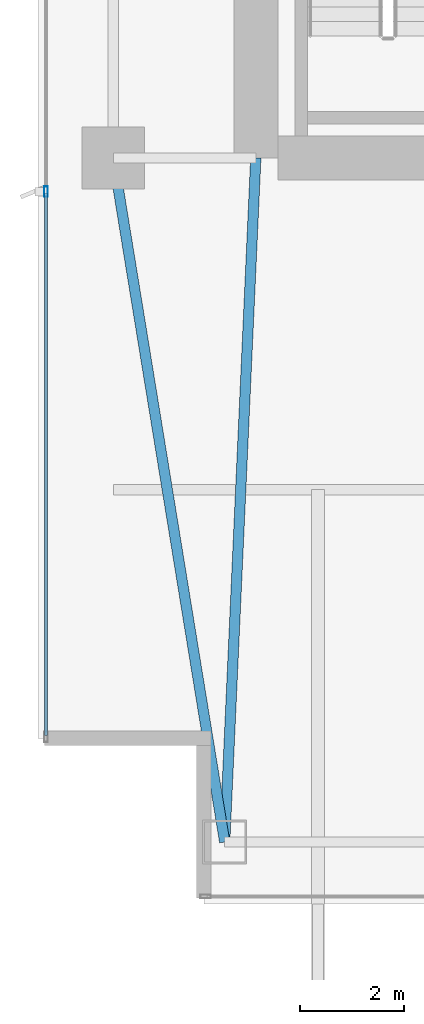
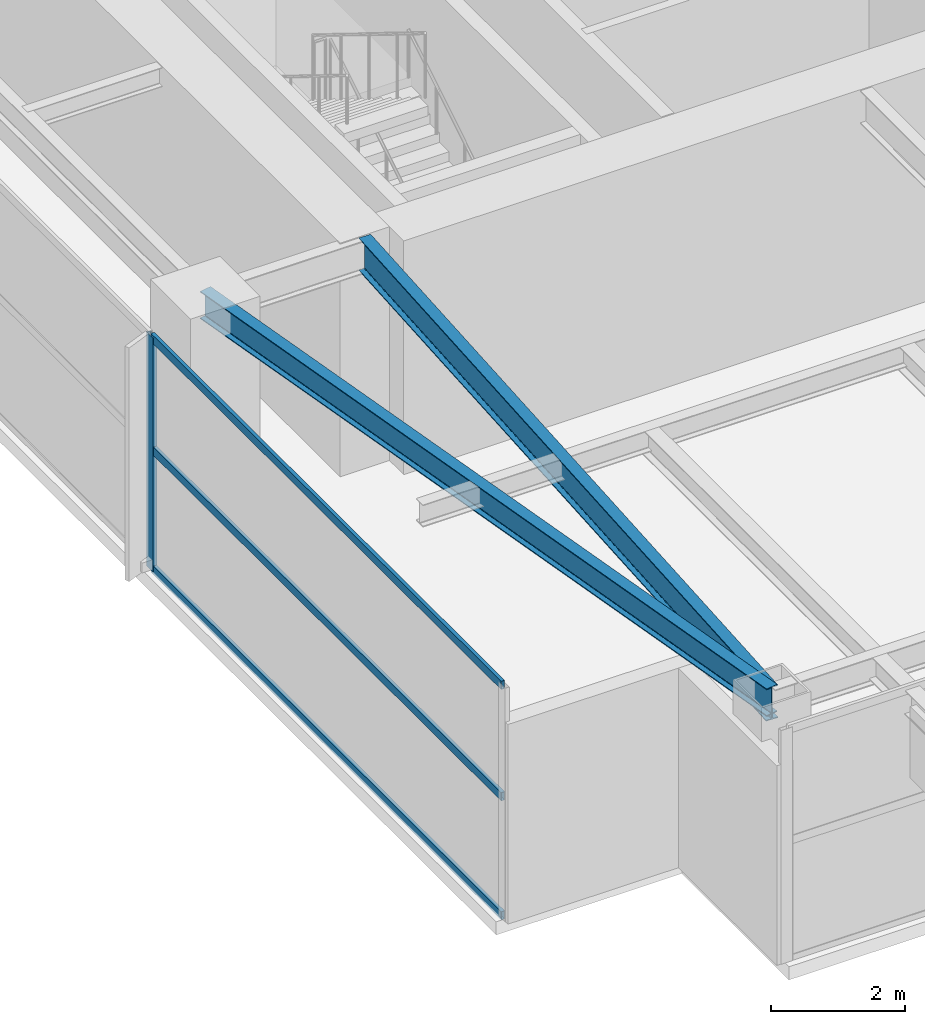
# One storey, part 3 of 26: 4 members, 2 beams, 1 element without a shape of its own.
"""IFC4 building model written with IfcOpenShell, lengths in metres."""

from ifc_helpers import new_model, si_unit, direction, frame, origin, origin_2d, place, context, subcontext, project, spatial, hollow_rectangle, i_section, extrude, material, layer, layer_set, material_profile, profile_set, type_object, element, aggregate, save


model = new_model("IFC4")

# Units and contexts
model_context = context("Model", 3, precision=1e-05, world=origin(), true_north=direction((0.0, 1.0)))
body_context = subcontext(model_context, "Body", "Model", "MODEL_VIEW")
ifc_project = project(units=[si_unit("LENGTHUNIT", "METRE"), si_unit("AREAUNIT", "SQUARE_METRE"), si_unit("VOLUMEUNIT", "CUBIC_METRE"), si_unit("PLANEANGLEUNIT", "RADIAN"), si_unit("MASSUNIT", "GRAM", prefix="KILO")], contexts=[model_context])

# Site, building, storey
site_placement = place(None, origin())
site = spatial("IfcSite", under=ifc_project, at=site_placement, CompositionType="ELEMENT")
building_placement = place(site_placement, origin())
building = spatial("IfcBuilding", under=site, at=building_placement, Name="Calvorn Quay Hotel", CompositionType="ELEMENT")
storey_placement = place(building_placement, frame((0.0, 0.0, 144.0)))
storey = spatial("IfcBuildingStorey", under=building, at=storey_placement, Name="L35", CompositionType="ELEMENT", Elevation=144.0)

# Beams
ifc_material_1 = material(Name="Steel Q355B", Category="steel")
ifc_material_profile_1 = material_profile(ifc_material_1, i_section(OverallWidth=0.199951171875, OverallDepth=0.60009765625, WebThickness=0.010986328125, FlangeThickness=0.01708984375, FilletRadius=0.01806640625, at=origin_2d()), Name="HN600x200x11x17")
ifc_profile_set_1 = profile_set([ifc_material_profile_1], Name="Steel Q355B")
beam_type_1 = type_object("IfcBeamType", Name="BM-GIRD-TYP", PredefinedType="BEAM", material=ifc_profile_set_1)
beam_1_placement = place(storey_placement, frame((3.60009765625, 3.60009765625, 3.93994140625), z_axis=(0.045396765494, 0.998969035397, 0.0), x_axis=(-0.998969035397, 0.045396765494, 0.0)))
element("IfcBeam", 1, at=beam_1_placement, inside=storey, type_object=beam_type_1, Name="Beam BG-L35-W0", PredefinedType="BEAM", context=body_context, shape_type="SweptSolid", body=[
    extrude(i_section(OverallWidth=0.199951171875, OverallDepth=0.60009765625, WebThickness=0.010986328125, FlangeThickness=0.01708984375, FilletRadius=0.01806640625, at=origin_2d()), origin(), (0.0, 0.0, 1.0), 13.213623046875),
])
ifc_material_2 = material(Name="Steel Q355B", Category="steel")
ifc_material_profile_2 = material_profile(ifc_material_2, i_section(OverallWidth=0.199951171875, OverallDepth=0.5, WebThickness=0.010009765625, FlangeThickness=0.01611328125, FilletRadius=0.01611328125, at=origin_2d()), Name="HN500x200x10x16")
ifc_profile_set_2 = profile_set([ifc_material_profile_2], Name="Steel Q355B")
beam_type_2 = type_object("IfcBeamType", Name="BM-SPANDREL-Z1", PredefinedType="SPANDREL", material=ifc_profile_set_2)
beam_2_placement = place(storey_placement, frame((3.60009765625, 3.60009765625, 3.989990234375), z_axis=(-0.16077155054, 0.986991645627, 0.0), x_axis=(-0.986991645627, -0.16077155054, 0.0)))
element("IfcBeam", 2, at=beam_2_placement, inside=storey, type_object=beam_type_2, Name="Beam BSP-L35-W1", PredefinedType="SPANDREL", context=body_context, shape_type="SweptSolid", body=[
    extrude(i_section(OverallWidth=0.199951171875, OverallDepth=0.5, WebThickness=0.010009765625, FlangeThickness=0.01611328125, FilletRadius=0.01611328125, at=origin_2d()), origin(), (0.0, 0.0, 1.0), 13.3740234375),
])

# Curtain wall, members
ifc_material_3 = material(Name="Pale Anodised Aluminium and Low-E Glass", Category="aluminium")
ifc_layer = layer(ifc_material_3, 0.219970703125)
ifc_layer_set = layer_set([ifc_layer], Name="CW-SYS-Z2")
curtain_wall_type = type_object("IfcCurtainWallType", Name="CW-SYS-Z2", PredefinedType="NOTDEFINED", material=ifc_layer_set)
curtain_wall_placement = place(storey_placement, origin())
curtain_wall = element("IfcCurtainWall", 3, at=curtain_wall_placement, inside=storey, type_object=curtain_wall_type, Name="Tower West Curtain Wall (L35)", PredefinedType="NOTDEFINED")
ifc_material_4 = material(Name="Pale Anodised Aluminium 6063-T6", Category="aluminium")
ifc_material_profile_3 = material_profile(ifc_material_4, hollow_rectangle(XDim=0.070068359375, YDim=0.199951171875, WallThickness=0.00390625, at=origin_2d()), Name="ALU-M200x70x4")
ifc_profile_set_3 = profile_set([ifc_material_profile_3], Name="Pale Anodised Aluminium 6063-T6")
member_type_1 = type_object("IfcMemberType", Name="CW-SYS-Z2-MUL", PredefinedType="MULLION", material=ifc_profile_set_3)
member_1_placement = place(storey_placement, frame((0.14990234375, 16.14990234375, 0.0), z_axis=(0.0, 0.0, 1.0), x_axis=(-1.0, 0.0, 0.0)))
member_1 = element("IfcMember", 4, at=member_1_placement, type_object=member_type_1, Name="CW-L35-W mullion 2", PredefinedType="MULLION", context=body_context, shape_type="SweptSolid", body=[
    extrude(hollow_rectangle(XDim=0.070068359375, YDim=0.199951171875, WallThickness=0.00390625, at=origin_2d()), origin(), (0.0, 0.0, 1.0), 4.260009765625),
])
ifc_material_5 = material(Name="Pale Anodised Aluminium 6063-T6", Category="aluminium")
ifc_material_profile_4 = material_profile(ifc_material_5, hollow_rectangle(XDim=0.06005859375, YDim=0.14990234375, WallThickness=0.00341796875, at=origin_2d()), Name="ALU-T150x60x3.5")
ifc_profile_set_4 = profile_set([ifc_material_profile_4], Name="Pale Anodised Aluminium 6063-T6")
member_type_2 = type_object("IfcMemberType", Name="CW-SYS-Z2-TRN", PredefinedType="USERDEFINED", material=ifc_profile_set_4)
member_2_placement = place(storey_placement, frame((0.14990234375, 5.659912109375, 0.030029296875), z_axis=(0.0, 1.0, 0.0), x_axis=(-1.0, 0.0, 0.0)))
member_2 = element("IfcMember", 5, at=member_2_placement, type_object=member_type_2, Name="CW-L35-W transom 1.1", ObjectType="TRANSOM", PredefinedType="USERDEFINED", context=body_context, shape_type="SweptSolid", body=[
    extrude(hollow_rectangle(XDim=0.06005859375, YDim=0.14990234375, WallThickness=0.00341796875, at=origin_2d()), origin(), (0.0, 0.0, 1.0), 10.460205078125),
])
member_3_placement = place(storey_placement, frame((0.14990234375, 5.659912109375, 2.199951171875), z_axis=(0.0, 1.0, 0.0), x_axis=(-1.0, 0.0, 0.0)))
member_3 = element("IfcMember", 6, at=member_3_placement, type_object=member_type_2, Name="CW-L35-W transom 1.2", ObjectType="TRANSOM", PredefinedType="USERDEFINED", context=body_context, shape_type="SweptSolid", body=[
    extrude(hollow_rectangle(XDim=0.06005859375, YDim=0.14990234375, WallThickness=0.00341796875, at=origin_2d()), origin(), (0.0, 0.0, 1.0), 10.460205078125),
])
member_4_placement = place(storey_placement, frame((0.14990234375, 5.659912109375, 4.22998046875), z_axis=(0.0, 1.0, 0.0), x_axis=(-1.0, 0.0, 0.0)))
member_4 = element("IfcMember", 7, at=member_4_placement, type_object=member_type_2, Name="CW-L35-W transom 1.3", ObjectType="TRANSOM", PredefinedType="USERDEFINED", context=body_context, shape_type="SweptSolid", body=[
    extrude(hollow_rectangle(XDim=0.06005859375, YDim=0.14990234375, WallThickness=0.00341796875, at=origin_2d()), origin(), (0.0, 0.0, 1.0), 10.460205078125),
])
aggregate(curtain_wall, [member_1, member_2, member_3, member_4])

save(model, "model.ifc")
